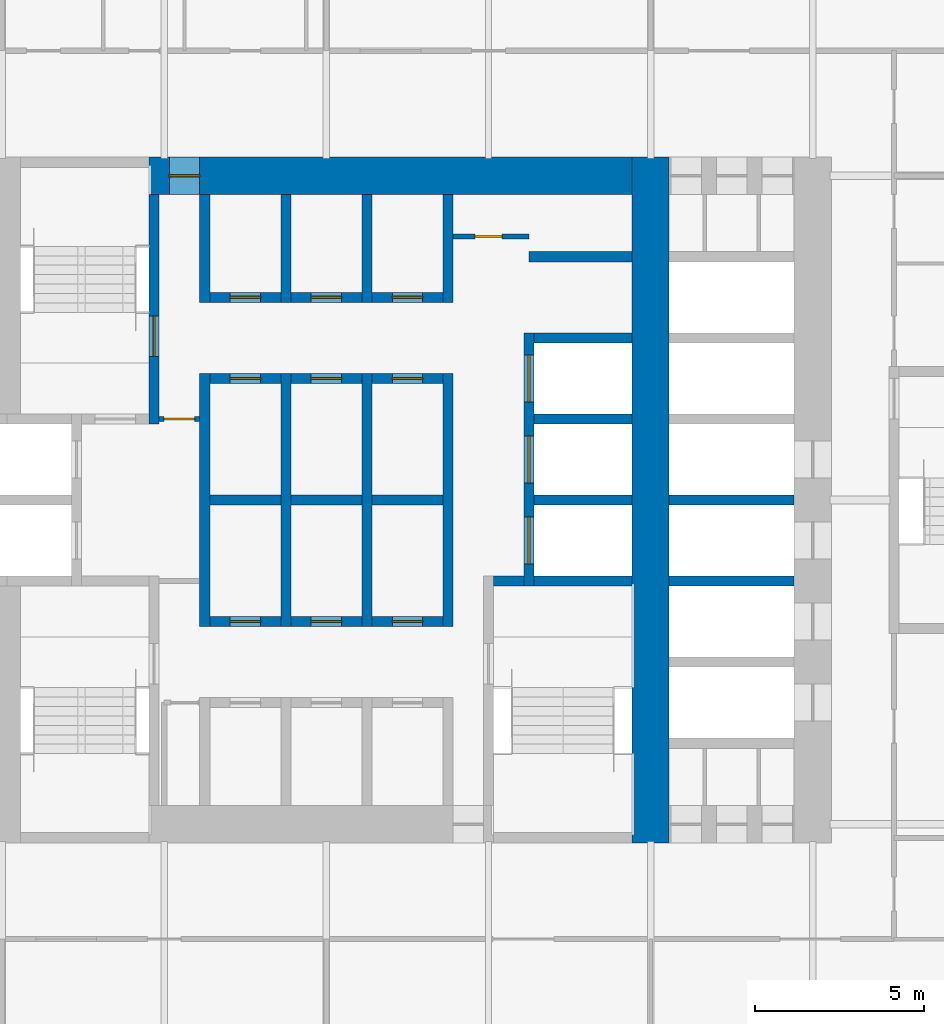
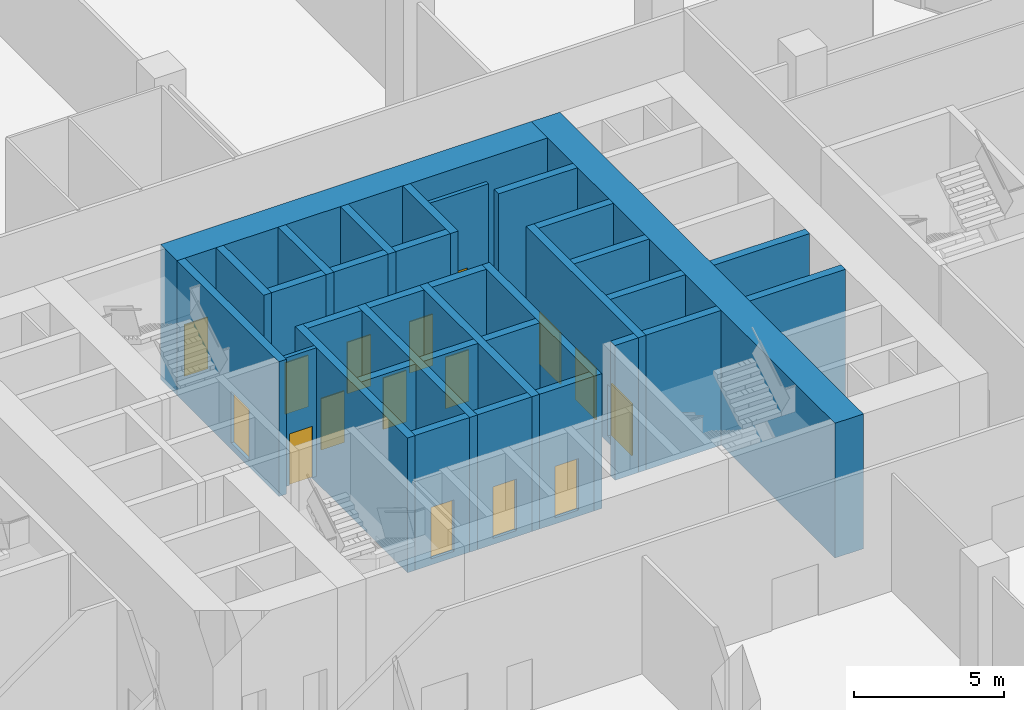
# One storey, part 21 of 29: 34 walls, 16 doors, 16 openings.
"""IFC4 building model written with IfcOpenShell, lengths in metres."""

from ifc_helpers import new_model, si_unit, direction, frame, frame_2d, origin, place, context, subcontext, project, spatial, rectangle, extrude, material, layer, layer_set, type_object, element, fill, save


model = new_model("IFC4")

# Units and contexts
model_context = context("Model", 3, precision=1e-05, world=origin(), true_north=direction((0.0, 1.0)))
body_context = subcontext(model_context, "Body", "Model", "MODEL_VIEW")
ifc_project = project(units=[si_unit("LENGTHUNIT", "METRE"), si_unit("AREAUNIT", "SQUARE_METRE"), si_unit("VOLUMEUNIT", "CUBIC_METRE"), si_unit("PLANEANGLEUNIT", "RADIAN"), si_unit("MASSUNIT", "GRAM", prefix="KILO")], contexts=[model_context])

# Site, building, storey
site_placement = place(None, origin())
site = spatial("IfcSite", under=ifc_project, at=site_placement, CompositionType="ELEMENT")
building_placement = place(site_placement, origin())
building = spatial("IfcBuilding", under=site, at=building_placement, Name="Kolab Exchange Tower", CompositionType="ELEMENT")
storey_placement = place(building_placement, frame((0.0, 0.0, 55.39990234375)))
storey = spatial("IfcBuildingStorey", under=building, at=storey_placement, Name="L10", CompositionType="ELEMENT", Elevation=55.39990234375)

# Wall, opening, door
ifc_material_1 = material(Name="Concrete C80/95", Category="concrete")
ifc_layer_1 = layer(ifc_material_1, 1.10009765625)
ifc_layer_set_1 = layer_set([ifc_layer_1], Name="Concrete C80/95")
wall_type_1 = type_object("IfcWallType", Name="CORE WALL 1100 C80/95", PredefinedType="SHEAR", material=ifc_layer_set_1)
wall_1_placement = place(storey_placement, frame((-5.25, 9.60009765625, -0.25), z_axis=(0.0, 0.0, 1.0), x_axis=(1.0, 0.0, 0.0)))
wall_1 = element("IfcWall", 1, at=wall_1_placement, inside=storey, type_object=wall_type_1, Name="wall/L10/core/052", PredefinedType="SHEAR", context=body_context, shape_type="SweptSolid", body=[
    extrude(rectangle(XDim=14.300048828125, YDim=1.10009765625, at=frame_2d((7.14990234375, 0.0))), origin(), (0.0, 0.0, 1.0), 5.5),
])
opening_1_placement = place(wall_1_placement, frame((0.60009765625, 0.0, 0.25)))
opening_1 = element("IfcOpeningElement", 2, at=opening_1_placement, cuts=wall_1, Name="Opening D6-107", PredefinedType="OPENING", context=body_context, shape_type="SweptSolid", body=[
    extrude(rectangle(XDim=0.89990234375, YDim=2.10009765625, at=frame_2d((0.449951171875, 1.050048828125))), frame((0.0, 0.56005859375, 0.0), z_axis=(0.0, -1.0, 0.0), x_axis=(1.0, 0.0, 0.0)), (0.0, 0.0, 1.0), 1.1201171875),
])
ifc_material_2 = material(Name="Steel S235", Category="steel")
door_type_1 = type_object("IfcDoorType", Name="CORE DOOR 900 EI 120", OperationType="SINGLE_SWING_LEFT", PredefinedType="DOOR", material=ifc_material_2)
door_1_placement = place(opening_1_placement, frame((0.89990234375, 0.0, 0.0), z_axis=(0.0, 0.0, 1.0), x_axis=(-1.0, 0.0, 0.0)))
door_1 = element("IfcDoor", 3, at=door_1_placement, inside=storey, type_object=door_type_1, Name="Core lobby door", OperationType="SINGLE_SWING_RIGHT", OverallHeight=2.10009765625, OverallWidth=0.89990234375, PredefinedType="DOOR", context=body_context, shape_type="SweptSolid", body=[
    extrude(rectangle(XDim=0.89990234375, YDim=2.10009765625, at=frame_2d((0.449951171875, 1.050048828125))), frame((0.0, 0.02490234375, 0.0), z_axis=(0.0, -1.0, 0.0), x_axis=(1.0, 0.0, 0.0)), (0.0, 0.0, 1.0), 0.050048828125),
])
fill(opening_1, door_1)

# Wall
wall_2_placement = place(storey_placement, frame((9.60009765625, -10.14990234375, -0.25), z_axis=(0.0, 0.0, 1.0), x_axis=(0.0, 1.0, 0.0)))
element("IfcWall", 4, at=wall_2_placement, inside=storey, type_object=wall_type_1, Name="wall/L10/core/080", PredefinedType="SHEAR", context=body_context, shape_type="SweptSolid", body=[
    extrude(rectangle(XDim=20.2998046875, YDim=1.10009765625, at=frame_2d((10.14990234375, 0.0))), origin(), (0.0, 0.0, 1.0), 5.5),
])

# Wall, opening, door
ifc_material_3 = material(Name="Concrete C50/60", Category="concrete")
ifc_layer_2 = layer(ifc_material_3, 0.300048828125)
ifc_layer_set_2 = layer_set([ifc_layer_2], Name="Concrete C50/60")
wall_type_2 = type_object("IfcWallType", Name="LIFT SHAFT WALL 300 C50/60", PredefinedType="STANDARD", material=ifc_layer_set_2)
wall_3_placement = place(storey_placement, frame((-3.449951171875, -3.60009765625, -0.25), z_axis=(0.0, 0.0, 1.0), x_axis=(1.0, 0.0, 0.0)))
wall_3 = element("IfcWall", 5, at=wall_3_placement, inside=storey, type_object=wall_type_2, Name="wall/L10/core/014", PredefinedType="STANDARD", context=body_context, shape_type="SweptSolid", body=[
    extrude(rectangle(XDim=2.099853515625, YDim=0.300048828125, at=frame_2d((1.0498046875, 0.0))), origin(), (0.0, 0.0, 1.0), 5.5),
])
opening_2_placement = place(wall_3_placement, frame((0.60009765625, 0.0, 0.25)))
opening_2 = element("IfcOpeningElement", 6, at=opening_2_placement, cuts=wall_3, Name="Opening D6-092", PredefinedType="OPENING", context=body_context, shape_type="SweptSolid", body=[
    extrude(rectangle(XDim=0.89990234375, YDim=2.10009765625, at=frame_2d((0.449951171875, 1.050048828125))), frame((0.0, 0.16015625, 0.0), z_axis=(0.0, -1.0, 0.0), x_axis=(1.0, 0.0, 0.0)), (0.0, 0.0, 1.0), 0.320068359375),
])
door_2_placement = place(opening_2_placement, origin())
door_2 = element("IfcDoor", 7, at=door_2_placement, inside=storey, type_object=door_type_1, Name="Service room door", OperationType="SINGLE_SWING_LEFT", OverallHeight=2.10009765625, OverallWidth=0.89990234375, PredefinedType="DOOR", context=body_context, shape_type="SweptSolid", body=[
    extrude(rectangle(XDim=0.89990234375, YDim=2.10009765625, at=frame_2d((0.449951171875, 1.050048828125))), frame((0.0, 0.02490234375, 0.0), z_axis=(0.0, -1.0, 0.0), x_axis=(1.0, 0.0, 0.0)), (0.0, 0.0, 1.0), 0.050048828125),
])
fill(opening_2, door_2)

wall_4_placement = place(storey_placement, frame((-1.050048828125, -3.60009765625, -0.25), z_axis=(0.0, 0.0, 1.0), x_axis=(1.0, 0.0, 0.0)))
wall_4 = element("IfcWall", 8, at=wall_4_placement, inside=storey, type_object=wall_type_2, Name="wall/L10/core/015", PredefinedType="STANDARD", context=body_context, shape_type="SweptSolid", body=[
    extrude(rectangle(XDim=2.10009765625, YDim=0.300048828125, at=frame_2d((1.050048828125, 0.0))), origin(), (0.0, 0.0, 1.0), 5.5),
])
opening_3_placement = place(wall_4_placement, frame((0.60009765625, 0.0, 0.25)))
opening_3 = element("IfcOpeningElement", 9, at=opening_3_placement, cuts=wall_4, Name="Opening D6-091", PredefinedType="OPENING", context=body_context, shape_type="SweptSolid", body=[
    extrude(rectangle(XDim=0.89990234375, YDim=2.10009765625, at=frame_2d((0.449951171875, 1.050048828125))), frame((0.0, 0.16015625, 0.0), z_axis=(0.0, -1.0, 0.0), x_axis=(1.0, 0.0, 0.0)), (0.0, 0.0, 1.0), 0.320068359375),
])
door_3_placement = place(opening_3_placement, origin())
door_3 = element("IfcDoor", 10, at=door_3_placement, inside=storey, type_object=door_type_1, Name="Service room door", OperationType="SINGLE_SWING_LEFT", OverallHeight=2.10009765625, OverallWidth=0.89990234375, PredefinedType="DOOR", context=body_context, shape_type="SweptSolid", body=[
    extrude(rectangle(XDim=0.89990234375, YDim=2.10009765625, at=frame_2d((0.449951171875, 1.050048828125))), frame((0.0, 0.02490234375, 0.0), z_axis=(0.0, -1.0, 0.0), x_axis=(1.0, 0.0, 0.0)), (0.0, 0.0, 1.0), 0.050048828125),
])
fill(opening_3, door_3)

wall_5_placement = place(storey_placement, frame((1.35009765625, -3.60009765625, -0.25), z_axis=(0.0, 0.0, 1.0), x_axis=(1.0, 0.0, 0.0)))
wall_5 = element("IfcWall", 11, at=wall_5_placement, inside=storey, type_object=wall_type_2, Name="wall/L10/core/016", PredefinedType="STANDARD", context=body_context, shape_type="SweptSolid", body=[
    extrude(rectangle(XDim=2.099853515625, YDim=0.300048828125, at=frame_2d((1.0498046875, 0.0))), origin(), (0.0, 0.0, 1.0), 5.5),
])
opening_4_placement = place(wall_5_placement, frame((0.60009765625, 0.0, 0.25)))
opening_4 = element("IfcOpeningElement", 12, at=opening_4_placement, cuts=wall_5, Name="Opening D6-090", PredefinedType="OPENING", context=body_context, shape_type="SweptSolid", body=[
    extrude(rectangle(XDim=0.89990234375, YDim=2.10009765625, at=frame_2d((0.449951171875, 1.050048828125))), frame((0.0, 0.16015625, 0.0), z_axis=(0.0, -1.0, 0.0), x_axis=(1.0, 0.0, 0.0)), (0.0, 0.0, 1.0), 0.320068359375),
])
door_4_placement = place(opening_4_placement, origin())
door_4 = element("IfcDoor", 13, at=door_4_placement, inside=storey, type_object=door_type_1, Name="Service room door", OperationType="SINGLE_SWING_RIGHT", OverallHeight=2.10009765625, OverallWidth=0.89990234375, PredefinedType="DOOR", context=body_context, shape_type="SweptSolid", body=[
    extrude(rectangle(XDim=0.89990234375, YDim=2.10009765625, at=frame_2d((0.449951171875, 1.050048828125))), frame((0.0, 0.02490234375, 0.0), z_axis=(0.0, -1.0, 0.0), x_axis=(1.0, 0.0, 0.0)), (0.0, 0.0, 1.0), 0.050048828125),
])
fill(opening_4, door_4)

# Walls
wall_6_placement = place(storey_placement, frame((10.14990234375, -2.39990234375, -0.25), z_axis=(0.0, 0.0, 1.0), x_axis=(1.0, 0.0, 0.0)))
element("IfcWall", 14, at=wall_6_placement, inside=storey, type_object=wall_type_2, Name="wall/L10/core/023", PredefinedType="STANDARD", context=body_context, shape_type="SweptSolid", body=[
    extrude(rectangle(XDim=3.7001953125, YDim=0.300048828125, at=frame_2d((1.85009765625, 0.0))), origin(), (0.0, 0.0, 1.0), 5.5),
])
wall_7_placement = place(storey_placement, frame((-3.449951171875, 0.0, -0.25), z_axis=(0.0, 0.0, 1.0), x_axis=(1.0, 0.0, 0.0)))
element("IfcWall", 15, at=wall_7_placement, inside=storey, type_object=wall_type_2, Name="wall/L10/core/026", PredefinedType="STANDARD", context=body_context, shape_type="SweptSolid", body=[
    extrude(rectangle(XDim=2.099853515625, YDim=0.300048828125, at=frame_2d((1.0498046875, 0.0))), origin(), (0.0, 0.0, 1.0), 5.5),
])
wall_8_placement = place(storey_placement, frame((-1.050048828125, 0.0, -0.25), z_axis=(0.0, 0.0, 1.0), x_axis=(1.0, 0.0, 0.0)))
element("IfcWall", 16, at=wall_8_placement, inside=storey, type_object=wall_type_2, Name="wall/L10/core/027", PredefinedType="STANDARD", context=body_context, shape_type="SweptSolid", body=[
    extrude(rectangle(XDim=2.10009765625, YDim=0.300048828125, at=frame_2d((1.050048828125, 0.0))), origin(), (0.0, 0.0, 1.0), 5.5),
])
wall_9_placement = place(storey_placement, frame((1.35009765625, 0.0, -0.25), z_axis=(0.0, 0.0, 1.0), x_axis=(1.0, 0.0, 0.0)))
element("IfcWall", 17, at=wall_9_placement, inside=storey, type_object=wall_type_2, Name="wall/L10/core/028", PredefinedType="STANDARD", context=body_context, shape_type="SweptSolid", body=[
    extrude(rectangle(XDim=2.099853515625, YDim=0.300048828125, at=frame_2d((1.0498046875, 0.0))), origin(), (0.0, 0.0, 1.0), 5.5),
])
wall_10_placement = place(storey_placement, frame((6.14990234375, 0.0, -0.25), z_axis=(0.0, 0.0, 1.0), x_axis=(1.0, 0.0, 0.0)))
element("IfcWall", 18, at=wall_10_placement, inside=storey, type_object=wall_type_2, Name="wall/L10/core/029", PredefinedType="STANDARD", context=body_context, shape_type="SweptSolid", body=[
    extrude(rectangle(XDim=2.900146484375, YDim=0.300048828125, at=frame_2d((1.4501953125, 0.0))), origin(), (0.0, 0.0, 1.0), 5.5),
])
wall_11_placement = place(storey_placement, frame((10.14990234375, 0.0, -0.25), z_axis=(0.0, 0.0, 1.0), x_axis=(1.0, 0.0, 0.0)))
element("IfcWall", 19, at=wall_11_placement, inside=storey, type_object=wall_type_2, Name="wall/L10/core/030", PredefinedType="STANDARD", context=body_context, shape_type="SweptSolid", body=[
    extrude(rectangle(XDim=3.7001953125, YDim=0.300048828125, at=frame_2d((1.85009765625, 0.0))), origin(), (0.0, 0.0, 1.0), 5.5),
])
wall_12_placement = place(storey_placement, frame((6.14990234375, 2.39990234375, -0.25), z_axis=(0.0, 0.0, 1.0), x_axis=(1.0, 0.0, 0.0)))
element("IfcWall", 20, at=wall_12_placement, inside=storey, type_object=wall_type_2, Name="wall/L10/core/035", PredefinedType="STANDARD", context=body_context, shape_type="SweptSolid", body=[
    extrude(rectangle(XDim=2.900146484375, YDim=0.300048828125, at=frame_2d((1.4501953125, 0.0))), origin(), (0.0, 0.0, 1.0), 5.5),
])

# Wall, opening, door
wall_13_placement = place(storey_placement, frame((-3.449951171875, 3.60009765625, -0.25), z_axis=(0.0, 0.0, 1.0), x_axis=(1.0, 0.0, 0.0)))
wall_13 = element("IfcWall", 21, at=wall_13_placement, inside=storey, type_object=wall_type_2, Name="wall/L10/core/037", PredefinedType="STANDARD", context=body_context, shape_type="SweptSolid", body=[
    extrude(rectangle(XDim=2.099853515625, YDim=0.300048828125, at=frame_2d((1.0498046875, 0.0))), origin(), (0.0, 0.0, 1.0), 5.5),
])
opening_5_placement = place(wall_13_placement, frame((0.60009765625, 0.0, 0.25)))
opening_5 = element("IfcOpeningElement", 22, at=opening_5_placement, cuts=wall_13, Name="Opening D6-089", PredefinedType="OPENING", context=body_context, shape_type="SweptSolid", body=[
    extrude(rectangle(XDim=0.89990234375, YDim=2.10009765625, at=frame_2d((0.449951171875, 1.050048828125))), frame((0.0, 0.16015625, 0.0), z_axis=(0.0, -1.0, 0.0), x_axis=(1.0, 0.0, 0.0)), (0.0, 0.0, 1.0), 0.320068359375),
])
door_5_placement = place(opening_5_placement, frame((0.89990234375, 0.0, 0.0), z_axis=(0.0, 0.0, 1.0), x_axis=(-1.0, 0.0, 0.0)))
door_5 = element("IfcDoor", 23, at=door_5_placement, inside=storey, type_object=door_type_1, Name="Service room door", OperationType="SINGLE_SWING_LEFT", OverallHeight=2.10009765625, OverallWidth=0.89990234375, PredefinedType="DOOR", context=body_context, shape_type="SweptSolid", body=[
    extrude(rectangle(XDim=0.89990234375, YDim=2.10009765625, at=frame_2d((0.449951171875, 1.050048828125))), frame((0.0, 0.02490234375, 0.0), z_axis=(0.0, -1.0, 0.0), x_axis=(1.0, 0.0, 0.0)), (0.0, 0.0, 1.0), 0.050048828125),
])
fill(opening_5, door_5)

wall_14_placement = place(storey_placement, frame((-1.050048828125, 3.60009765625, -0.25), z_axis=(0.0, 0.0, 1.0), x_axis=(1.0, 0.0, 0.0)))
wall_14 = element("IfcWall", 24, at=wall_14_placement, inside=storey, type_object=wall_type_2, Name="wall/L10/core/038", PredefinedType="STANDARD", context=body_context, shape_type="SweptSolid", body=[
    extrude(rectangle(XDim=2.10009765625, YDim=0.300048828125, at=frame_2d((1.050048828125, 0.0))), origin(), (0.0, 0.0, 1.0), 5.5),
])
opening_6_placement = place(wall_14_placement, frame((0.60009765625, 0.0, 0.25)))
opening_6 = element("IfcOpeningElement", 25, at=opening_6_placement, cuts=wall_14, Name="Opening D6-088", PredefinedType="OPENING", context=body_context, shape_type="SweptSolid", body=[
    extrude(rectangle(XDim=0.89990234375, YDim=2.10009765625, at=frame_2d((0.449951171875, 1.050048828125))), frame((0.0, 0.16015625, 0.0), z_axis=(0.0, -1.0, 0.0), x_axis=(1.0, 0.0, 0.0)), (0.0, 0.0, 1.0), 0.320068359375),
])
door_6_placement = place(opening_6_placement, frame((0.89990234375, 0.0, 0.0), z_axis=(0.0, 0.0, 1.0), x_axis=(-1.0, 0.0, 0.0)))
door_6 = element("IfcDoor", 26, at=door_6_placement, inside=storey, type_object=door_type_1, Name="Service room door", OperationType="SINGLE_SWING_LEFT", OverallHeight=2.10009765625, OverallWidth=0.89990234375, PredefinedType="DOOR", context=body_context, shape_type="SweptSolid", body=[
    extrude(rectangle(XDim=0.89990234375, YDim=2.10009765625, at=frame_2d((0.449951171875, 1.050048828125))), frame((0.0, 0.02490234375, 0.0), z_axis=(0.0, -1.0, 0.0), x_axis=(1.0, 0.0, 0.0)), (0.0, 0.0, 1.0), 0.050048828125),
])
fill(opening_6, door_6)

wall_15_placement = place(storey_placement, frame((1.35009765625, 3.60009765625, -0.25), z_axis=(0.0, 0.0, 1.0), x_axis=(1.0, 0.0, 0.0)))
wall_15 = element("IfcWall", 27, at=wall_15_placement, inside=storey, type_object=wall_type_2, Name="wall/L10/core/039", PredefinedType="STANDARD", context=body_context, shape_type="SweptSolid", body=[
    extrude(rectangle(XDim=2.099853515625, YDim=0.300048828125, at=frame_2d((1.0498046875, 0.0))), origin(), (0.0, 0.0, 1.0), 5.5),
])
opening_7_placement = place(wall_15_placement, frame((0.60009765625, 0.0, 0.25)))
opening_7 = element("IfcOpeningElement", 28, at=opening_7_placement, cuts=wall_15, Name="Opening D6-087", PredefinedType="OPENING", context=body_context, shape_type="SweptSolid", body=[
    extrude(rectangle(XDim=0.89990234375, YDim=2.10009765625, at=frame_2d((0.449951171875, 1.050048828125))), frame((0.0, 0.16015625, 0.0), z_axis=(0.0, -1.0, 0.0), x_axis=(1.0, 0.0, 0.0)), (0.0, 0.0, 1.0), 0.320068359375),
])
door_7_placement = place(opening_7_placement, frame((0.89990234375, 0.0, 0.0), z_axis=(0.0, 0.0, 1.0), x_axis=(-1.0, 0.0, 0.0)))
door_7 = element("IfcDoor", 29, at=door_7_placement, inside=storey, type_object=door_type_1, Name="Service room door", OperationType="SINGLE_SWING_RIGHT", OverallHeight=2.10009765625, OverallWidth=0.89990234375, PredefinedType="DOOR", context=body_context, shape_type="SweptSolid", body=[
    extrude(rectangle(XDim=0.89990234375, YDim=2.10009765625, at=frame_2d((0.449951171875, 1.050048828125))), frame((0.0, 0.02490234375, 0.0), z_axis=(0.0, -1.0, 0.0), x_axis=(1.0, 0.0, 0.0)), (0.0, 0.0, 1.0), 0.050048828125),
])
fill(opening_7, door_7)

# Wall
wall_16_placement = place(storey_placement, frame((6.14990234375, 4.800048828125, -0.25), z_axis=(0.0, 0.0, 1.0), x_axis=(1.0, 0.0, 0.0)))
element("IfcWall", 30, at=wall_16_placement, inside=storey, type_object=wall_type_2, Name="wall/L10/core/043", PredefinedType="STANDARD", context=body_context, shape_type="SweptSolid", body=[
    extrude(rectangle(XDim=2.900146484375, YDim=0.300048828125, at=frame_2d((1.4501953125, 0.0))), origin(), (0.0, 0.0, 1.0), 5.5),
])

# Wall, opening, door
wall_17_placement = place(storey_placement, frame((-3.449951171875, 6.0, -0.25), z_axis=(0.0, 0.0, 1.0), x_axis=(1.0, 0.0, 0.0)))
wall_17 = element("IfcWall", 31, at=wall_17_placement, inside=storey, type_object=wall_type_2, Name="wall/L10/core/045", PredefinedType="STANDARD", context=body_context, shape_type="SweptSolid", body=[
    extrude(rectangle(XDim=2.099853515625, YDim=0.300048828125, at=frame_2d((1.0498046875, 0.0))), origin(), (0.0, 0.0, 1.0), 5.5),
])
opening_8_placement = place(wall_17_placement, frame((0.60009765625, 0.0, 0.25)))
opening_8 = element("IfcOpeningElement", 32, at=opening_8_placement, cuts=wall_17, Name="Opening D6-086", PredefinedType="OPENING", context=body_context, shape_type="SweptSolid", body=[
    extrude(rectangle(XDim=0.89990234375, YDim=2.10009765625, at=frame_2d((0.449951171875, 1.050048828125))), frame((0.0, 0.16015625, 0.0), z_axis=(0.0, -1.0, 0.0), x_axis=(1.0, 0.0, 0.0)), (0.0, 0.0, 1.0), 0.320068359375),
])
door_8_placement = place(opening_8_placement, origin())
door_8 = element("IfcDoor", 33, at=door_8_placement, inside=storey, type_object=door_type_1, Name="Service room door", OperationType="SINGLE_SWING_LEFT", OverallHeight=2.10009765625, OverallWidth=0.89990234375, PredefinedType="DOOR", context=body_context, shape_type="SweptSolid", body=[
    extrude(rectangle(XDim=0.89990234375, YDim=2.10009765625, at=frame_2d((0.449951171875, 1.050048828125))), frame((0.0, 0.02490234375, 0.0), z_axis=(0.0, -1.0, 0.0), x_axis=(1.0, 0.0, 0.0)), (0.0, 0.0, 1.0), 0.050048828125),
])
fill(opening_8, door_8)

wall_18_placement = place(storey_placement, frame((-1.050048828125, 6.0, -0.25), z_axis=(0.0, 0.0, 1.0), x_axis=(1.0, 0.0, 0.0)))
wall_18 = element("IfcWall", 34, at=wall_18_placement, inside=storey, type_object=wall_type_2, Name="wall/L10/core/046", PredefinedType="STANDARD", context=body_context, shape_type="SweptSolid", body=[
    extrude(rectangle(XDim=2.10009765625, YDim=0.300048828125, at=frame_2d((1.050048828125, 0.0))), origin(), (0.0, 0.0, 1.0), 5.5),
])
opening_9_placement = place(wall_18_placement, frame((0.60009765625, 0.0, 0.25)))
opening_9 = element("IfcOpeningElement", 35, at=opening_9_placement, cuts=wall_18, Name="Opening D6-105", PredefinedType="OPENING", context=body_context, shape_type="SweptSolid", body=[
    extrude(rectangle(XDim=0.89990234375, YDim=2.10009765625, at=frame_2d((0.449951171875, 1.050048828125))), frame((0.0, 0.16015625, 0.0), z_axis=(0.0, -1.0, 0.0), x_axis=(1.0, 0.0, 0.0)), (0.0, 0.0, 1.0), 0.320068359375),
])
door_9_placement = place(opening_9_placement, origin())
door_9 = element("IfcDoor", 36, at=door_9_placement, inside=storey, type_object=door_type_1, Name="Service room door", OperationType="SINGLE_SWING_LEFT", OverallHeight=2.10009765625, OverallWidth=0.89990234375, PredefinedType="DOOR", context=body_context, shape_type="SweptSolid", body=[
    extrude(rectangle(XDim=0.89990234375, YDim=2.10009765625, at=frame_2d((0.449951171875, 1.050048828125))), frame((0.0, 0.02490234375, 0.0), z_axis=(0.0, -1.0, 0.0), x_axis=(1.0, 0.0, 0.0)), (0.0, 0.0, 1.0), 0.050048828125),
])
fill(opening_9, door_9)

wall_19_placement = place(storey_placement, frame((1.35009765625, 6.0, -0.25), z_axis=(0.0, 0.0, 1.0), x_axis=(1.0, 0.0, 0.0)))
wall_19 = element("IfcWall", 37, at=wall_19_placement, inside=storey, type_object=wall_type_2, Name="wall/L10/core/047", PredefinedType="STANDARD", context=body_context, shape_type="SweptSolid", body=[
    extrude(rectangle(XDim=2.099853515625, YDim=0.300048828125, at=frame_2d((1.0498046875, 0.0))), origin(), (0.0, 0.0, 1.0), 5.5),
])
opening_10_placement = place(wall_19_placement, frame((0.60009765625, 0.0, 0.25)))
opening_10 = element("IfcOpeningElement", 38, at=opening_10_placement, cuts=wall_19, Name="Opening D6-084", PredefinedType="OPENING", context=body_context, shape_type="SweptSolid", body=[
    extrude(rectangle(XDim=0.89990234375, YDim=2.10009765625, at=frame_2d((0.449951171875, 1.050048828125))), frame((0.0, 0.16015625, 0.0), z_axis=(0.0, -1.0, 0.0), x_axis=(1.0, 0.0, 0.0)), (0.0, 0.0, 1.0), 0.320068359375),
])
door_10_placement = place(opening_10_placement, origin())
door_10 = element("IfcDoor", 39, at=door_10_placement, inside=storey, type_object=door_type_1, Name="Service room door", OperationType="SINGLE_SWING_RIGHT", OverallHeight=2.10009765625, OverallWidth=0.89990234375, PredefinedType="DOOR", context=body_context, shape_type="SweptSolid", body=[
    extrude(rectangle(XDim=0.89990234375, YDim=2.10009765625, at=frame_2d((0.449951171875, 1.050048828125))), frame((0.0, 0.02490234375, 0.0), z_axis=(0.0, -1.0, 0.0), x_axis=(1.0, 0.0, 0.0)), (0.0, 0.0, 1.0), 0.050048828125),
])
fill(opening_10, door_10)

# Walls
wall_20_placement = place(storey_placement, frame((6.0, 7.199951171875, -0.25), z_axis=(0.0, 0.0, 1.0), x_axis=(1.0, 0.0, 0.0)))
element("IfcWall", 40, at=wall_20_placement, inside=storey, type_object=wall_type_2, Name="wall/L10/core/049", PredefinedType="STANDARD", context=body_context, shape_type="SweptSolid", body=[
    extrude(rectangle(XDim=3.050048828125, YDim=0.300048828125, at=frame_2d((1.52490234375, 0.0))), origin(), (0.0, 0.0, 1.0), 5.5),
])
wall_21_placement = place(storey_placement, frame((-3.60009765625, -3.75, -0.25), z_axis=(0.0, 0.0, 1.0), x_axis=(0.0, 1.0, 0.0)))
element("IfcWall", 41, at=wall_21_placement, inside=storey, type_object=wall_type_2, Name="wall/L10/core/067", PredefinedType="STANDARD", context=body_context, shape_type="SweptSolid", body=[
    extrude(rectangle(XDim=7.5, YDim=0.300048828125, at=frame_2d((3.75, 0.0))), origin(), (0.0, 0.0, 1.0), 5.5),
])
wall_22_placement = place(storey_placement, frame((-3.60009765625, 5.85009765625, -0.25), z_axis=(0.0, 0.0, 1.0), x_axis=(0.0, 1.0, 0.0)))
element("IfcWall", 42, at=wall_22_placement, inside=storey, type_object=wall_type_2, Name="wall/L10/core/068", PredefinedType="STANDARD", context=body_context, shape_type="SweptSolid", body=[
    extrude(rectangle(XDim=3.199951171875, YDim=0.300048828125, at=frame_2d((1.60009765625, 0.0))), origin(), (0.0, 0.0, 1.0), 5.5),
])
wall_23_placement = place(storey_placement, frame((-1.199951171875, -3.75, -0.25), z_axis=(0.0, 0.0, 1.0), x_axis=(0.0, 1.0, 0.0)))
element("IfcWall", 43, at=wall_23_placement, inside=storey, type_object=wall_type_2, Name="wall/L10/core/070", PredefinedType="STANDARD", context=body_context, shape_type="SweptSolid", body=[
    extrude(rectangle(XDim=7.5, YDim=0.300048828125, at=frame_2d((3.75, 0.0))), origin(), (0.0, 0.0, 1.0), 5.5),
])
wall_24_placement = place(storey_placement, frame((-1.199951171875, 5.85009765625, -0.25), z_axis=(0.0, 0.0, 1.0), x_axis=(0.0, 1.0, 0.0)))
element("IfcWall", 44, at=wall_24_placement, inside=storey, type_object=wall_type_2, Name="wall/L10/core/071", PredefinedType="STANDARD", context=body_context, shape_type="SweptSolid", body=[
    extrude(rectangle(XDim=3.199951171875, YDim=0.300048828125, at=frame_2d((1.60009765625, 0.0))), origin(), (0.0, 0.0, 1.0), 5.5),
])
wall_25_placement = place(storey_placement, frame((1.199951171875, -3.75, -0.25), z_axis=(0.0, 0.0, 1.0), x_axis=(0.0, 1.0, 0.0)))
element("IfcWall", 45, at=wall_25_placement, inside=storey, type_object=wall_type_2, Name="wall/L10/core/073", PredefinedType="STANDARD", context=body_context, shape_type="SweptSolid", body=[
    extrude(rectangle(XDim=7.5, YDim=0.300048828125, at=frame_2d((3.75, 0.0))), origin(), (0.0, 0.0, 1.0), 5.5),
])
wall_26_placement = place(storey_placement, frame((1.199951171875, 5.85009765625, -0.25), z_axis=(0.0, 0.0, 1.0), x_axis=(0.0, 1.0, 0.0)))
element("IfcWall", 46, at=wall_26_placement, inside=storey, type_object=wall_type_2, Name="wall/L10/core/074", PredefinedType="STANDARD", context=body_context, shape_type="SweptSolid", body=[
    extrude(rectangle(XDim=3.199951171875, YDim=0.300048828125, at=frame_2d((1.60009765625, 0.0))), origin(), (0.0, 0.0, 1.0), 5.5),
])
wall_27_placement = place(storey_placement, frame((3.60009765625, -3.75, -0.25), z_axis=(0.0, 0.0, 1.0), x_axis=(0.0, 1.0, 0.0)))
element("IfcWall", 47, at=wall_27_placement, inside=storey, type_object=wall_type_2, Name="wall/L10/core/076", PredefinedType="STANDARD", context=body_context, shape_type="SweptSolid", body=[
    extrude(rectangle(XDim=7.5, YDim=0.300048828125, at=frame_2d((3.75, 0.0))), origin(), (0.0, 0.0, 1.0), 5.5),
])
wall_28_placement = place(storey_placement, frame((3.60009765625, 5.85009765625, -0.25), z_axis=(0.0, 0.0, 1.0), x_axis=(0.0, 1.0, 0.0)))
element("IfcWall", 48, at=wall_28_placement, inside=storey, type_object=wall_type_2, Name="wall/L10/core/077", PredefinedType="STANDARD", context=body_context, shape_type="SweptSolid", body=[
    extrude(rectangle(XDim=3.199951171875, YDim=0.300048828125, at=frame_2d((1.60009765625, 0.0))), origin(), (0.0, 0.0, 1.0), 5.5),
])

# Wall, openings, doors
wall_29_placement = place(storey_placement, frame((6.0, -2.550048828125, -0.25), z_axis=(0.0, 0.0, 1.0), x_axis=(0.0, 1.0, 0.0)))
wall_29 = element("IfcWall", 49, at=wall_29_placement, inside=storey, type_object=wall_type_2, Name="wall/L10/core/079", PredefinedType="STANDARD", context=body_context, shape_type="SweptSolid", body=[
    extrude(rectangle(XDim=7.5, YDim=0.300048828125, at=frame_2d((3.75, 0.0))), origin(), (0.0, 0.0, 1.0), 5.5),
])
opening_11_placement = place(wall_29_placement, frame((0.64990234375, 0.0, 0.25)))
opening_11 = element("IfcOpeningElement", 50, at=opening_11_placement, cuts=wall_29, Name="Opening LD3-013", PredefinedType="OPENING", context=body_context, shape_type="SweptSolid", body=[
    extrude(rectangle(XDim=1.39990234375, YDim=2.10009765625, at=frame_2d((0.699951171875, 1.050048828125))), frame((0.0, 0.16015625, 0.0), z_axis=(0.0, -1.0, 0.0), x_axis=(1.0, 0.0, 0.0)), (0.0, 0.0, 1.0), 0.320068359375),
])
opening_12_placement = place(wall_29_placement, frame((3.050048828125, 0.0, 0.25)))
opening_12 = element("IfcOpeningElement", 51, at=opening_12_placement, cuts=wall_29, Name="Opening LD3-014", PredefinedType="OPENING", context=body_context, shape_type="SweptSolid", body=[
    extrude(rectangle(XDim=1.39990234375, YDim=2.10009765625, at=frame_2d((0.699951171875, 1.050048828125))), frame((0.0, 0.16015625, 0.0), z_axis=(0.0, -1.0, 0.0), x_axis=(1.0, 0.0, 0.0)), (0.0, 0.0, 1.0), 0.320068359375),
])
opening_13_placement = place(wall_29_placement, frame((5.449951171875, 0.0, 0.25)))
opening_13 = element("IfcOpeningElement", 52, at=opening_13_placement, cuts=wall_29, Name="Opening LD3-015", PredefinedType="OPENING", context=body_context, shape_type="SweptSolid", body=[
    extrude(rectangle(XDim=1.39990234375, YDim=2.10009765625, at=frame_2d((0.699951171875, 1.050048828125))), frame((0.0, 0.16015625, 0.0), z_axis=(0.0, -1.0, 0.0), x_axis=(1.0, 0.0, 0.0)), (0.0, 0.0, 1.0), 0.320068359375),
])
ifc_material_4 = material(Name="Stainless steel 316", Category="steel")
door_type_2 = type_object("IfcDoorType", Name="LANDING DOOR 1400 SERVICE", OperationType="DOUBLE_DOOR_SLIDING", PredefinedType="DOOR", material=ifc_material_4)
door_11_placement = place(opening_11_placement, origin())
door_11 = element("IfcDoor", 53, at=door_11_placement, inside=storey, type_object=door_type_2, Name="Landing door SV1", OperationType="DOUBLE_DOOR_SLIDING", OverallHeight=2.10009765625, OverallWidth=1.39990234375, PredefinedType="DOOR", context=body_context, shape_type="SweptSolid", body=[
    extrude(rectangle(XDim=1.39990234375, YDim=2.10009765625, at=frame_2d((0.699951171875, 1.050048828125))), frame((0.0, 0.02490234375, 0.0), z_axis=(0.0, -1.0, 0.0), x_axis=(1.0, 0.0, 0.0)), (0.0, 0.0, 1.0), 0.050048828125),
])
fill(opening_11, door_11)
door_12_placement = place(opening_12_placement, origin())
door_12 = element("IfcDoor", 54, at=door_12_placement, inside=storey, type_object=door_type_2, Name="Landing door SV2", OperationType="DOUBLE_DOOR_SLIDING", OverallHeight=2.10009765625, OverallWidth=1.39990234375, PredefinedType="DOOR", context=body_context, shape_type="SweptSolid", body=[
    extrude(rectangle(XDim=1.39990234375, YDim=2.10009765625, at=frame_2d((0.699951171875, 1.050048828125))), frame((0.0, 0.02490234375, 0.0), z_axis=(0.0, -1.0, 0.0), x_axis=(1.0, 0.0, 0.0)), (0.0, 0.0, 1.0), 0.050048828125),
])
fill(opening_12, door_12)
door_13_placement = place(opening_13_placement, origin())
door_13 = element("IfcDoor", 55, at=door_13_placement, inside=storey, type_object=door_type_2, Name="Landing door SV3", OperationType="DOUBLE_DOOR_SLIDING", OverallHeight=2.10009765625, OverallWidth=1.39990234375, PredefinedType="DOOR", context=body_context, shape_type="SweptSolid", body=[
    extrude(rectangle(XDim=1.39990234375, YDim=2.10009765625, at=frame_2d((0.699951171875, 1.050048828125))), frame((0.0, 0.02490234375, 0.0), z_axis=(0.0, -1.0, 0.0), x_axis=(1.0, 0.0, 0.0)), (0.0, 0.0, 1.0), 0.050048828125),
])
fill(opening_13, door_13)

# Wall, opening, door
ifc_material_5 = material(Name="Gypsum board", Category="gypsum")
ifc_layer_3 = layer(ifc_material_5, 0.14990234375)
ifc_layer_set_3 = layer_set([ifc_layer_3], Name="Gypsum board")
wall_type_3 = type_object("IfcWallType", Name="PARTITION 150 FIRE-RATED", PredefinedType="PARTITIONING", material=ifc_layer_set_3)
wall_30_placement = place(storey_placement, frame((3.75, 7.800048828125, 0.0), z_axis=(0.0, 0.0, 1.0), x_axis=(1.0, 0.0, 0.0)))
wall_30 = element("IfcWall", 56, at=wall_30_placement, inside=storey, type_object=wall_type_3, Name="Partition 043", PredefinedType="PARTITIONING", context=body_context, shape_type="SweptSolid", body=[
    extrude(rectangle(XDim=2.25, YDim=0.14990234375, at=frame_2d((1.125, 0.0))), origin(), (0.0, 0.0, 1.0), 5.25),
])
opening_14_placement = place(wall_30_placement, frame((0.64990234375, 0.0, 0.0)))
opening_14 = element("IfcOpeningElement", 57, at=opening_14_placement, cuts=wall_30, Name="Opening D7-009", PredefinedType="OPENING", context=body_context, shape_type="SweptSolid", body=[
    extrude(rectangle(XDim=0.800048828125, YDim=2.10009765625, at=frame_2d((0.39990234375, 1.050048828125))), frame((0.0, 0.0849609375, 0.0), z_axis=(0.0, -1.0, 0.0), x_axis=(1.0, 0.0, 0.0)), (0.0, 0.0, 1.0), 0.169921875),
])
door_type_3 = type_object("IfcDoorType", Name="FLUSH DOOR 800 FD60", OperationType="SINGLE_SWING_LEFT", PredefinedType="DOOR", material=ifc_material_2)
door_14_placement = place(opening_14_placement, origin())
door_14 = element("IfcDoor", 58, at=door_14_placement, inside=storey, type_object=door_type_3, Name="Door L10-043", OperationType="SINGLE_SWING_LEFT", OverallHeight=2.10009765625, OverallWidth=0.800048828125, PredefinedType="DOOR", context=body_context, shape_type="SweptSolid", body=[
    extrude(rectangle(XDim=0.800048828125, YDim=2.10009765625, at=frame_2d((0.39990234375, 1.050048828125))), frame((0.0, 0.02490234375, 0.0), z_axis=(0.0, -1.0, 0.0), x_axis=(1.0, 0.0, 0.0)), (0.0, 0.0, 1.0), 0.050048828125),
])
fill(opening_14, door_14)

wall_31_placement = place(storey_placement, frame((-4.949951171875, 2.39990234375, 0.0), z_axis=(0.0, 0.0, 1.0), x_axis=(1.0, 0.0, 0.0)))
wall_31 = element("IfcWall", 59, at=wall_31_placement, inside=storey, type_object=wall_type_3, Name="Fire partition", PredefinedType="PARTITIONING", context=body_context, shape_type="SweptSolid", body=[
    extrude(rectangle(XDim=1.199951171875, YDim=0.14990234375, at=frame_2d((0.60009765625, 0.0))), origin(), (0.0, 0.0, 1.0), 5.25),
])
opening_15_placement = place(wall_31_placement, frame((0.14990234375, 0.0, 0.0)))
opening_15 = element("IfcOpeningElement", 60, at=opening_15_placement, cuts=wall_31, Name="Opening D6-097", PredefinedType="OPENING", context=body_context, shape_type="SweptSolid", body=[
    extrude(rectangle(XDim=0.89990234375, YDim=2.10009765625, at=frame_2d((0.449951171875, 1.050048828125))), frame((0.0, 0.0849609375, 0.0), z_axis=(0.0, -1.0, 0.0), x_axis=(1.0, 0.0, 0.0)), (0.0, 0.0, 1.0), 0.169921875),
])
door_15_placement = place(opening_15_placement, frame((0.89990234375, 0.0, 0.0), z_axis=(0.0, 0.0, 1.0), x_axis=(-1.0, 0.0, 0.0)))
door_15 = element("IfcDoor", 61, at=door_15_placement, inside=storey, type_object=door_type_1, Name="Firefighting lobby door", OperationType="SINGLE_SWING_RIGHT", OverallHeight=2.10009765625, OverallWidth=0.89990234375, PredefinedType="DOOR", context=body_context, shape_type="SweptSolid", body=[
    extrude(rectangle(XDim=0.89990234375, YDim=2.10009765625, at=frame_2d((0.449951171875, 1.050048828125))), frame((0.0, 0.02490234375, 0.0), z_axis=(0.0, -1.0, 0.0), x_axis=(1.0, 0.0, 0.0)), (0.0, 0.0, 1.0), 0.050048828125),
])
fill(opening_15, door_15)

# Walls
ifc_layer_4 = layer(ifc_material_3, 0.300048828125)
ifc_layer_set_4 = layer_set([ifc_layer_4], Name="Concrete C50/60")
wall_type_4 = type_object("IfcWallType", Name="STAIR ENCLOSURE WALL 300 C50/60", PredefinedType="STANDARD", material=ifc_layer_set_4)
wall_32_placement = place(storey_placement, frame((4.949951171875, -2.39990234375, -0.25), z_axis=(0.0, 0.0, 1.0), x_axis=(1.0, 0.0, 0.0)))
element("IfcWall", 62, at=wall_32_placement, inside=storey, type_object=wall_type_4, Name="wall/L10/core/021", PredefinedType="STANDARD", context=body_context, shape_type="SweptSolid", body=[
    extrude(rectangle(XDim=0.900146484375, YDim=0.300048828125, at=frame_2d((0.4501953125, 0.0))), origin(), (0.0, 0.0, 1.0), 5.5),
])
wall_33_placement = place(storey_placement, frame((6.14990234375, -2.39990234375, -0.25), z_axis=(0.0, 0.0, 1.0), x_axis=(1.0, 0.0, 0.0)))
element("IfcWall", 63, at=wall_33_placement, inside=storey, type_object=wall_type_4, Name="wall/L10/core/022", PredefinedType="STANDARD", context=body_context, shape_type="SweptSolid", body=[
    extrude(rectangle(XDim=2.900146484375, YDim=0.300048828125, at=frame_2d((1.4501953125, 0.0))), origin(), (0.0, 0.0, 1.0), 5.5),
])

# Wall, opening, door
wall_34_placement = place(storey_placement, frame((-5.10009765625, 2.25, -0.25), z_axis=(0.0, 0.0, 1.0), x_axis=(0.0, 1.0, 0.0)))
wall_34 = element("IfcWall", 64, at=wall_34_placement, inside=storey, type_object=wall_type_4, Name="wall/L10/core/065", PredefinedType="STANDARD", context=body_context, shape_type="SweptSolid", body=[
    extrude(rectangle(XDim=6.800048828125, YDim=0.300048828125, at=frame_2d((3.39990234375, 0.0))), origin(), (0.0, 0.0, 1.0), 5.5),
])
opening_16_placement = place(wall_34_placement, frame((2.0, 0.0, 0.25)))
opening_16 = element("IfcOpeningElement", 65, at=opening_16_placement, cuts=wall_34, Name="Opening D4-020", PredefinedType="OPENING", context=body_context, shape_type="SweptSolid", body=[
    extrude(rectangle(XDim=1.199951171875, YDim=2.10009765625, at=frame_2d((0.60009765625, 1.050048828125))), frame((0.0, 0.16015625, 0.0), z_axis=(0.0, -1.0, 0.0), x_axis=(1.0, 0.0, 0.0)), (0.0, 0.0, 1.0), 0.320068359375),
])
door_type_4 = type_object("IfcDoorType", Name="STAIR DOOR 1200 EI 120", OperationType="SINGLE_SWING_LEFT", PredefinedType="DOOR", material=ifc_material_2)
door_16_placement = place(opening_16_placement, origin())
door_16 = element("IfcDoor", 66, at=door_16_placement, inside=storey, type_object=door_type_4, Name="Stair 1 door", OperationType="SINGLE_SWING_LEFT", OverallHeight=2.10009765625, OverallWidth=1.199951171875, PredefinedType="DOOR", context=body_context, shape_type="SweptSolid", body=[
    extrude(rectangle(XDim=1.199951171875, YDim=2.10009765625, at=frame_2d((0.60009765625, 1.050048828125))), frame((0.0, 0.02490234375, 0.0), z_axis=(0.0, -1.0, 0.0), x_axis=(1.0, 0.0, 0.0)), (0.0, 0.0, 1.0), 0.050048828125),
])
fill(opening_16, door_16)

save(model, "model.ifc")
